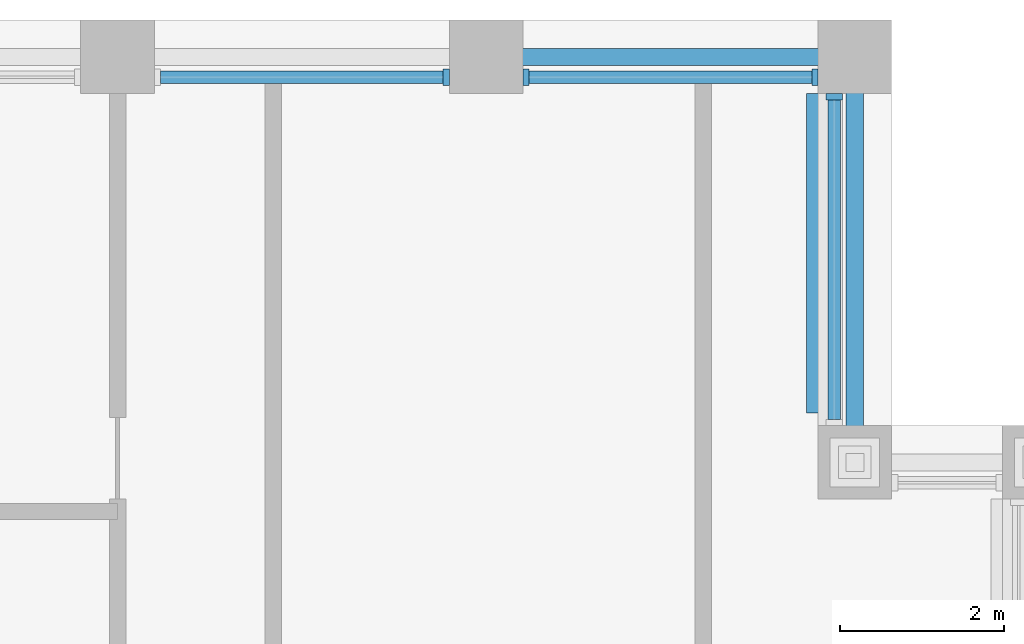
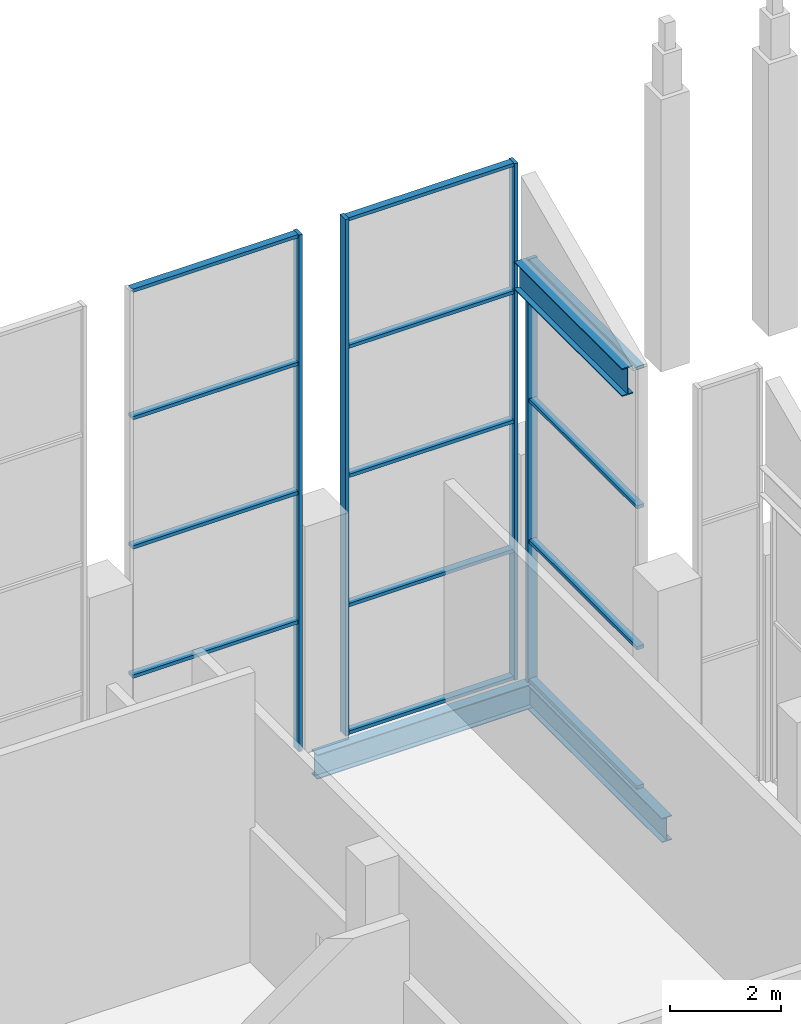
# One storey, part 5 of 9: 17 members, 3 beams, 3 elements without a shape of their own.
"""IFC4 building model written with IfcOpenShell, lengths in metres."""

from ifc_helpers import new_model, si_unit, direction, frame, origin, origin_2d, place, context, subcontext, project, spatial, rectangle, i_section, extrude, material, layer, layer_set, material_profile, profile_set, type_object, element, aggregate, save


model = new_model("IFC4")

# Units and contexts
model_context = context("Model", 3, precision=1e-05, world=origin(), true_north=direction((0.0, 1.0)))
body_context = subcontext(model_context, "Body", "Model", "MODEL_VIEW")
ifc_project = project(units=[si_unit("LENGTHUNIT", "METRE"), si_unit("AREAUNIT", "SQUARE_METRE"), si_unit("VOLUMEUNIT", "CUBIC_METRE"), si_unit("PLANEANGLEUNIT", "RADIAN"), si_unit("MASSUNIT", "GRAM", prefix="KILO")], contexts=[model_context])

# Site, building, storey
site_placement = place(None, origin())
site = spatial("IfcSite", under=ifc_project, at=site_placement, CompositionType="ELEMENT")
building_placement = place(site_placement, origin())
building = spatial("IfcBuilding", under=site, at=building_placement, Name="Corbelhall Arena Tower", CompositionType="ELEMENT")
storey_placement = place(building_placement, frame((0.0, 0.0, 386.0)))
storey = spatial("IfcBuildingStorey", under=building, at=storey_placement, Name="L83", CompositionType="ELEMENT", Elevation=386.0)

# Curtain wall, member
ifc_material_1 = material(Name="Aluminium black anodised", Category="aluminium")
ifc_layer = layer(ifc_material_1, 0.179931640625)
ifc_layer_set = layer_set([ifc_layer], Name="EV-CW3 Crown glazing")
curtain_wall_type = type_object("IfcCurtainWallType", Name="EV-CW3 Crown glazing", PredefinedType="NOTDEFINED", material=ifc_layer_set)
curtain_wall_1_placement = place(storey_placement, origin())
curtain_wall_1 = element("IfcCurtainWall", 1, at=curtain_wall_1_placement, inside=storey, type_object=curtain_wall_type, Name="Curtain wall CW3H", PredefinedType="NOTDEFINED")
ifc_material_profile_1 = material_profile(ifc_material_1, rectangle(XDim=0.199951171875, YDim=0.074951171875, at=origin_2d()))
ifc_profile_set_1 = profile_set([ifc_material_profile_1], Name="Aluminium black anodised")
member_type_1 = type_object("IfcMemberType", Name="EV-CW3-MULLION", PredefinedType="MULLION", material=ifc_profile_set_1)
member_1_placement = place(storey_placement, frame((22.25, 27.41259765625, 0.0), z_axis=(0.0, 0.0, 1.0), x_axis=(-1.0, 0.0, 0.0)))
member_1 = element("IfcMember", 2, at=member_1_placement, type_object=member_type_1, Name="CW3H mullion 2", PredefinedType="MULLION", context=body_context, shape_type="SweptSolid", body=[
    extrude(rectangle(XDim=0.199951171875, YDim=0.074951171875, at=origin_2d()), origin(), (0.0, 0.0, 1.0), 9.326416015625),
])

# Curtain wall, members
curtain_wall_2_placement = place(storey_placement, origin())
curtain_wall_2 = element("IfcCurtainWall", 3, at=curtain_wall_2_placement, inside=storey, type_object=curtain_wall_type, Name="Curtain wall CW3", PredefinedType="NOTDEFINED")
member_2_placement = place(storey_placement, frame((22.012451171875, 27.64990234375, 0.0), z_axis=(0.0, 0.0, 1.0), x_axis=(0.0, -1.0, 0.0)))
member_2 = element("IfcMember", 4, at=member_2_placement, type_object=member_type_1, Name="CW3 mullion 1", PredefinedType="MULLION", context=body_context, shape_type="SweptSolid", body=[
    extrude(rectangle(XDim=0.199951171875, YDim=0.074951171875, at=origin_2d()), origin(), (0.0, 0.0, 1.0), 11.39990234375),
])
member_3_placement = place(storey_placement, frame((18.487548828125, 27.64990234375, 0.0), z_axis=(0.0, 0.0, 1.0), x_axis=(0.0, -1.0, 0.0)))
member_3 = element("IfcMember", 5, at=member_3_placement, type_object=member_type_1, Name="CW3 mullion 2", PredefinedType="MULLION", context=body_context, shape_type="SweptSolid", body=[
    extrude(rectangle(XDim=0.199951171875, YDim=0.074951171875, at=origin_2d()), origin(), (0.0, 0.0, 1.0), 11.39990234375),
])

# Curtain wall, member
curtain_wall_3_placement = place(storey_placement, origin())
curtain_wall_3 = element("IfcCurtainWall", 6, at=curtain_wall_3_placement, inside=storey, type_object=curtain_wall_type, Name="Curtain wall CW3", PredefinedType="NOTDEFINED")
member_4_placement = place(storey_placement, frame((17.512451171875, 27.64990234375, 0.0), z_axis=(0.0, 0.0, 1.0), x_axis=(0.0, -1.0, 0.0)))
member_4 = element("IfcMember", 7, at=member_4_placement, type_object=member_type_1, Name="CW3 mullion 1", PredefinedType="MULLION", context=body_context, shape_type="SweptSolid", body=[
    extrude(rectangle(XDim=0.199951171875, YDim=0.074951171875, at=origin_2d()), origin(), (0.0, 0.0, 1.0), 11.39990234375),
])

# Member
ifc_material_profile_2 = material_profile(ifc_material_1, rectangle(XDim=0.14990234375, YDim=0.074951171875, at=origin_2d()))
ifc_profile_set_2 = profile_set([ifc_material_profile_2], Name="Aluminium black anodised")
member_type_2 = type_object("IfcMemberType", Name="EV-CW3-TRANSOM", PredefinedType="USERDEFINED", material=ifc_profile_set_2)
member_5_placement = place(storey_placement, frame((22.25, 23.47509765625, 0.03759765625), z_axis=(0.0, 1.0, 0.0), x_axis=(-1.0, 0.0, 0.0)))
member_5 = element("IfcMember", 8, at=member_5_placement, type_object=member_type_2, Name="CW3H transom 1.1", ObjectType="transom", PredefinedType="USERDEFINED", context=body_context, shape_type="SweptSolid", body=[
    extrude(rectangle(XDim=0.14990234375, YDim=0.074951171875, at=origin_2d()), origin(), (0.0, 0.0, 1.0), 3.89990234375),
])

member_6_placement = place(storey_placement, frame((22.25, 23.47509765625, 3.10888671875), z_axis=(0.0, 1.0, 0.0), x_axis=(-1.0, 0.0, 0.0)))
member_6 = element("IfcMember", 9, at=member_6_placement, type_object=member_type_2, Name="CW3H transom 1.2", ObjectType="transom", PredefinedType="USERDEFINED", context=body_context, shape_type="SweptSolid", body=[
    extrude(rectangle(XDim=0.14990234375, YDim=0.074951171875, at=origin_2d()), origin(), (0.0, 0.0, 1.0), 3.89990234375),
])

member_7_placement = place(storey_placement, frame((22.25, 23.47509765625, 6.2177734375), z_axis=(0.0, 1.0, 0.0), x_axis=(-1.0, 0.0, 0.0)))
member_7 = element("IfcMember", 10, at=member_7_placement, type_object=member_type_2, Name="CW3H transom 1.3", ObjectType="transom", PredefinedType="USERDEFINED", context=body_context, shape_type="SweptSolid", body=[
    extrude(rectangle(XDim=0.14990234375, YDim=0.074951171875, at=origin_2d()), origin(), (0.0, 0.0, 1.0), 3.89990234375),
])

member_8_placement = place(storey_placement, frame((22.25, 23.47509765625, 9.2890625), z_axis=(0.0, 1.0, 0.0), x_axis=(-1.0, 0.0, 0.0)))
member_8 = element("IfcMember", 11, at=member_8_placement, type_object=member_type_2, Name="CW3H transom 1.4", ObjectType="transom", PredefinedType="USERDEFINED", context=body_context, shape_type="SweptSolid", body=[
    extrude(rectangle(XDim=0.14990234375, YDim=0.074951171875, at=origin_2d()), origin(), (0.0, 0.0, 1.0), 3.89990234375),
])

aggregate(curtain_wall_1, [member_1, member_5, member_6, member_7, member_8])

member_9_placement = place(storey_placement, frame((21.97509765625, 27.64990234375, 0.03759765625), z_axis=(-1.0, 0.0, 0.0), x_axis=(0.0, -1.0, 0.0)))
member_9 = element("IfcMember", 12, at=member_9_placement, type_object=member_type_2, Name="CW3 transom 1.1", ObjectType="transom", PredefinedType="USERDEFINED", context=body_context, shape_type="SweptSolid", body=[
    extrude(rectangle(XDim=0.14990234375, YDim=0.074951171875, at=origin_2d()), origin(), (0.0, 0.0, 1.0), 3.4501953125),
])

member_10_placement = place(storey_placement, frame((21.97509765625, 27.64990234375, 2.85009765625), z_axis=(-1.0, 0.0, 0.0), x_axis=(0.0, -1.0, 0.0)))
member_10 = element("IfcMember", 13, at=member_10_placement, type_object=member_type_2, Name="CW3 transom 1.2", ObjectType="transom", PredefinedType="USERDEFINED", context=body_context, shape_type="SweptSolid", body=[
    extrude(rectangle(XDim=0.14990234375, YDim=0.074951171875, at=origin_2d()), origin(), (0.0, 0.0, 1.0), 3.4501953125),
])

member_11_placement = place(storey_placement, frame((21.97509765625, 27.64990234375, 5.699951171875), z_axis=(-1.0, 0.0, 0.0), x_axis=(0.0, -1.0, 0.0)))
member_11 = element("IfcMember", 14, at=member_11_placement, type_object=member_type_2, Name="CW3 transom 1.3", ObjectType="transom", PredefinedType="USERDEFINED", context=body_context, shape_type="SweptSolid", body=[
    extrude(rectangle(XDim=0.14990234375, YDim=0.074951171875, at=origin_2d()), origin(), (0.0, 0.0, 1.0), 3.4501953125),
])

member_12_placement = place(storey_placement, frame((21.97509765625, 27.64990234375, 8.550048828125), z_axis=(-1.0, 0.0, 0.0), x_axis=(0.0, -1.0, 0.0)))
member_12 = element("IfcMember", 15, at=member_12_placement, type_object=member_type_2, Name="CW3 transom 1.4", ObjectType="transom", PredefinedType="USERDEFINED", context=body_context, shape_type="SweptSolid", body=[
    extrude(rectangle(XDim=0.14990234375, YDim=0.074951171875, at=origin_2d()), origin(), (0.0, 0.0, 1.0), 3.4501953125),
])

member_13_placement = place(storey_placement, frame((21.97509765625, 27.64990234375, 11.362548828125), z_axis=(-1.0, 0.0, 0.0), x_axis=(0.0, -1.0, 0.0)))
member_13 = element("IfcMember", 16, at=member_13_placement, type_object=member_type_2, Name="CW3 transom 1.5", ObjectType="transom", PredefinedType="USERDEFINED", context=body_context, shape_type="SweptSolid", body=[
    extrude(rectangle(XDim=0.14990234375, YDim=0.074951171875, at=origin_2d()), origin(), (0.0, 0.0, 1.0), 3.4501953125),
])

aggregate(curtain_wall_2, [member_2, member_3, member_9, member_10, member_11, member_12, member_13])

member_14_placement = place(storey_placement, frame((17.47509765625, 27.64990234375, 2.85009765625), z_axis=(-1.0, 0.0, 0.0), x_axis=(0.0, -1.0, 0.0)))
member_14 = element("IfcMember", 17, at=member_14_placement, type_object=member_type_2, Name="CW3 transom 1.2", ObjectType="transom", PredefinedType="USERDEFINED", context=body_context, shape_type="SweptSolid", body=[
    extrude(rectangle(XDim=0.14990234375, YDim=0.074951171875, at=origin_2d()), origin(), (0.0, 0.0, 1.0), 3.4501953125),
])

member_15_placement = place(storey_placement, frame((17.47509765625, 27.64990234375, 5.699951171875), z_axis=(-1.0, 0.0, 0.0), x_axis=(0.0, -1.0, 0.0)))
member_15 = element("IfcMember", 18, at=member_15_placement, type_object=member_type_2, Name="CW3 transom 1.3", ObjectType="transom", PredefinedType="USERDEFINED", context=body_context, shape_type="SweptSolid", body=[
    extrude(rectangle(XDim=0.14990234375, YDim=0.074951171875, at=origin_2d()), origin(), (0.0, 0.0, 1.0), 3.4501953125),
])

member_16_placement = place(storey_placement, frame((17.47509765625, 27.64990234375, 8.550048828125), z_axis=(-1.0, 0.0, 0.0), x_axis=(0.0, -1.0, 0.0)))
member_16 = element("IfcMember", 19, at=member_16_placement, type_object=member_type_2, Name="CW3 transom 1.4", ObjectType="transom", PredefinedType="USERDEFINED", context=body_context, shape_type="SweptSolid", body=[
    extrude(rectangle(XDim=0.14990234375, YDim=0.074951171875, at=origin_2d()), origin(), (0.0, 0.0, 1.0), 3.4501953125),
])

member_17_placement = place(storey_placement, frame((17.47509765625, 27.64990234375, 11.362548828125), z_axis=(-1.0, 0.0, 0.0), x_axis=(0.0, -1.0, 0.0)))
member_17 = element("IfcMember", 20, at=member_17_placement, type_object=member_type_2, Name="CW3 transom 1.5", ObjectType="transom", PredefinedType="USERDEFINED", context=body_context, shape_type="SweptSolid", body=[
    extrude(rectangle(XDim=0.14990234375, YDim=0.074951171875, at=origin_2d()), origin(), (0.0, 0.0, 1.0), 3.4501953125),
])

aggregate(curtain_wall_3, [member_4, member_14, member_15, member_16, member_17])

# Beams
ifc_material_2 = material(Name="Steel ASTM A992 Gr50", Category="steel")
ifc_material_profile_3 = material_profile(ifc_material_2, i_section(OverallWidth=0.23046875, OverallDepth=0.6171875, WebThickness=0.01318359375, FlangeThickness=0.022216796875, at=origin_2d()))
ifc_profile_set_3 = profile_set([ifc_material_profile_3], Name="Steel ASTM A992 Gr50")
beam_type_1 = type_object("IfcBeamType", Name="ST-BEAM-W24x94", PredefinedType="BEAM", material=ifc_profile_set_3)
beam_1_placement = place(storey_placement, frame((22.02490234375, 23.550048828125, 9.017822265625), z_axis=(0.0, 1.0, 0.0), x_axis=(-1.0, 0.0, 0.0)))
element("IfcBeam", 21, at=beam_1_placement, inside=storey, type_object=beam_type_1, Name="Roof head beam", PredefinedType="BEAM", context=body_context, shape_type="SweptSolid", body=[
    extrude(i_section(OverallWidth=0.23046875, OverallDepth=0.6171875, WebThickness=0.01318359375, FlangeThickness=0.022216796875, at=origin_2d()), origin(), (0.0, 0.0, 1.0), 3.89990234375),
])
ifc_material_profile_4 = material_profile(ifc_material_2, i_section(OverallWidth=0.2099609375, OverallDepth=0.535888671875, WebThickness=0.010986328125, FlangeThickness=0.017333984375, at=origin_2d()))
ifc_profile_set_4 = profile_set([ifc_material_profile_4], Name="Steel ASTM A992 Gr50")
beam_type_2 = type_object("IfcBeamType", Name="ST-SPANDREL-W21x68", PredefinedType="SPANDREL", material=ifc_profile_set_4)
beam_2_placement = place(storey_placement, frame((18.0, 27.89990234375, -0.66845703125), z_axis=(1.0, 0.0, 0.0), x_axis=(0.0, 1.0, 0.0)))
element("IfcBeam", 22, at=beam_2_placement, inside=storey, type_object=beam_type_2, Name="Beam SP 12", PredefinedType="SPANDREL", context=body_context, shape_type="SweptSolid", body=[
    extrude(i_section(OverallWidth=0.2099609375, OverallDepth=0.535888671875, WebThickness=0.010986328125, FlangeThickness=0.017333984375, at=origin_2d()), origin(), (0.0, 0.0, 1.0), 4.5),
])
beam_3_placement = place(storey_placement, frame((22.5, 27.89990234375, -0.66845703125), z_axis=(0.0, -1.0, 0.0), x_axis=(1.0, 0.0, 0.0)))
element("IfcBeam", 23, at=beam_3_placement, inside=storey, type_object=beam_type_2, Name="Beam SP 13", PredefinedType="SPANDREL", context=body_context, shape_type="SweptSolid", body=[
    extrude(i_section(OverallWidth=0.2099609375, OverallDepth=0.535888671875, WebThickness=0.010986328125, FlangeThickness=0.017333984375, at=origin_2d()), origin(), (0.0, 0.0, 1.0), 4.949951171875),
])

save(model, "model.ifc")
